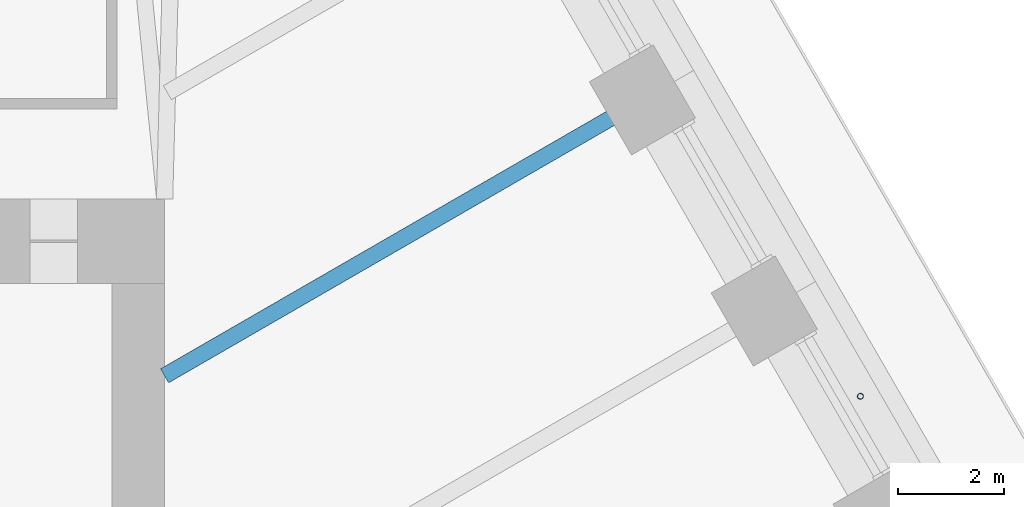
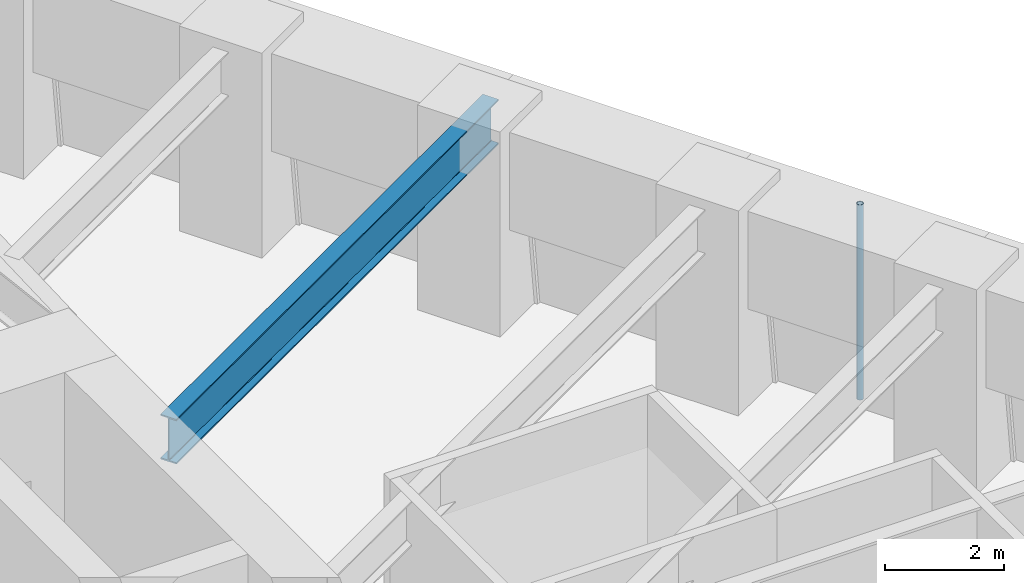
# One storey, part 10 of 20: 1 beam, 1 member.
"""IFC4 building model written with IfcOpenShell, lengths in metres."""

from ifc_helpers import new_model, si_unit, direction, frame, origin, origin_2d, place, context, subcontext, project, spatial, hollow_circle, i_section, extrude, material, material_profile, profile_set, type_object, element, save


model = new_model("IFC4")

# Units and contexts
model_context = context("Model", 3, precision=1e-05, world=origin(), true_north=direction((0.0, 1.0)))
body_context = subcontext(model_context, "Body", "Model", "MODEL_VIEW")
ifc_project = project(units=[si_unit("LENGTHUNIT", "METRE"), si_unit("AREAUNIT", "SQUARE_METRE"), si_unit("VOLUMEUNIT", "CUBIC_METRE"), si_unit("PLANEANGLEUNIT", "RADIAN"), si_unit("MASSUNIT", "GRAM", prefix="KILO")], contexts=[model_context])

# Site, building, storey
site_placement = place(None, origin())
site = spatial("IfcSite", under=ifc_project, at=site_placement, CompositionType="ELEMENT")
building_placement = place(site_placement, origin())
building = spatial("IfcBuilding", under=site, at=building_placement, Name="Tarfa Lantern Tower", CompositionType="ELEMENT")
storey_placement = place(building_placement, frame((0.0, 0.0, 228.10009765625)))
storey = spatial("IfcBuildingStorey", under=building, at=storey_placement, Name="L51", CompositionType="ELEMENT", Elevation=228.10009765625)

# Member
ifc_material_1 = material(Name="Steel S355", Category="steel")
ifc_material_profile_1 = material_profile(ifc_material_1, hollow_circle(Radius=0.05712890625, WallThickness=0.00634765625, at=origin_2d()), Name="CHS114.3x6.3")
ifc_profile_set_1 = profile_set([ifc_material_profile_1], Name="Steel S355")
member_type = type_object("IfcMemberType", Name="TR1 GREEN WALL TRELLIS CHS114.3x6.3", PredefinedType="USERDEFINED", material=ifc_profile_set_1)
member_placement = place(storey_placement, frame((28.682861328125, 8.56005859375, 0.0), z_axis=(0.0, 0.0, 1.0), x_axis=(1.0, 0.0, 0.0)))
element("IfcMember", 1, at=member_placement, inside=storey, type_object=member_type, Name="Trellis post NE 1", ObjectType="TRELLIS", PredefinedType="USERDEFINED", context=body_context, shape_type="SweptSolid", body=[
    extrude(hollow_circle(Radius=0.05712890625, WallThickness=0.00634765625, at=origin_2d()), origin(), (0.0, 0.0, 1.0), 4.0),
])

# Beam
ifc_material_2 = material(Name="Steel S460M", Category="steel")
ifc_material_profile_2 = material_profile(ifc_material_2, i_section(OverallWidth=0.305419921875, OverallDepth=0.91845703125, WebThickness=0.017333984375, FlangeThickness=0.02783203125, FilletRadius=0.01904296875, at=origin_2d()), Name="UB914x305x253")
ifc_profile_set_2 = profile_set([ifc_material_profile_2], Name="Steel S460M")
beam_type = type_object("IfcBeamType", Name="UB914x305x253", PredefinedType="BEAM", material=ifc_profile_set_2)
beam_placement = place(storey_placement, frame((24.872314453125, 14.360107421875, 3.540771484375), z_axis=(-0.8660244219, -0.500001700669, 0.0), x_axis=(0.500001700669, -0.8660244219, 0.0)))
element("IfcBeam", 2, at=beam_placement, inside=storey, type_object=beam_type, Name="Floor beam NE3", PredefinedType="BEAM", context=body_context, shape_type="SweptSolid", body=[
    extrude(i_section(OverallWidth=0.305419921875, OverallDepth=0.91845703125, WebThickness=0.017333984375, FlangeThickness=0.02783203125, FilletRadius=0.01904296875, at=origin_2d()), origin(), (0.0, 0.0, 1.0), 10.822265625),
])

save(model, "model.ifc")
